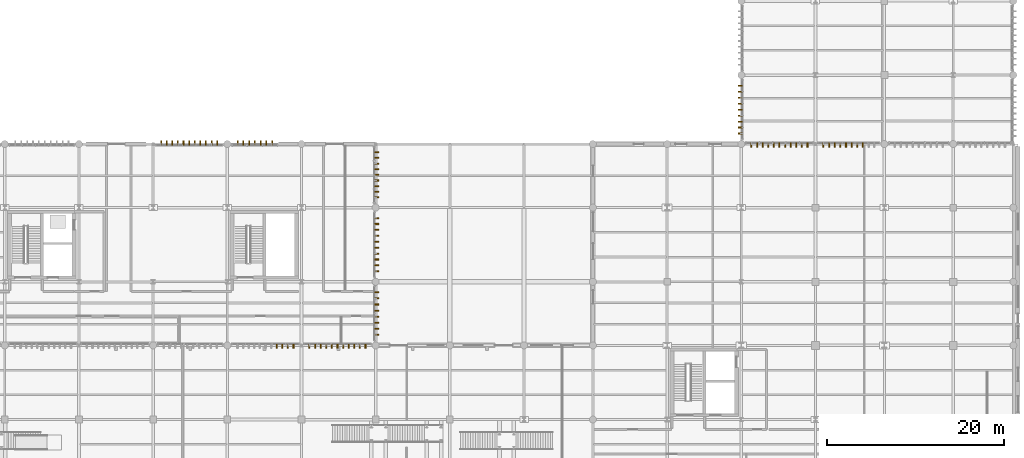
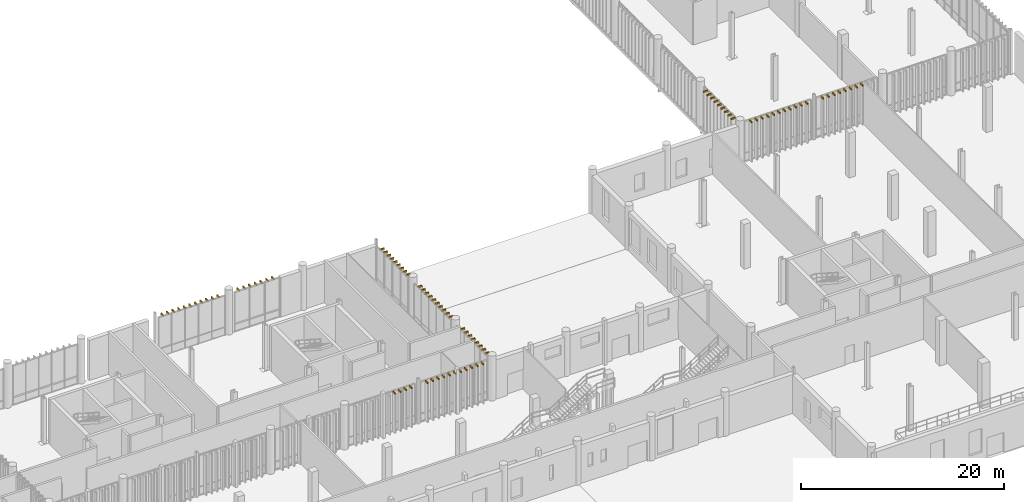
# One storey, part 110 of 112: 88 shading devices.
"""IFC4 building model written with IfcOpenShell, lengths in metres."""

from ifc_helpers import new_model, si_unit, direction, frame, origin_with_axes, origin_2d_with_axis, place, context, subcontext, project, spatial, rectangle, extrude, material, type_object, element, save


model = new_model("IFC4")

# Units and contexts
model_context = context("Model", 3, precision=1e-05, world=origin_with_axes(), true_north=direction((0.0, 1.0)))
body_context = subcontext(model_context, "Body", "Model", "MODEL_VIEW")
ifc_project = project(units=[si_unit("LENGTHUNIT", "METRE"), si_unit("AREAUNIT", "SQUARE_METRE"), si_unit("VOLUMEUNIT", "CUBIC_METRE"), si_unit("PLANEANGLEUNIT", "RADIAN"), si_unit("MASSUNIT", "GRAM", prefix="KILO"), si_unit("THERMODYNAMICTEMPERATUREUNIT", "KELVIN")], contexts=[model_context])

# Site, building, storey
site_placement = place(None, origin_with_axes())
site = spatial("IfcSite", under=ifc_project, at=site_placement, CompositionType="ELEMENT")
building_placement = place(site_placement, origin_with_axes())
building = spatial("IfcBuilding", under=site, at=building_placement, Name="Montbau Bow Law Courts", CompositionType="ELEMENT")
storey_placement = place(building_placement, origin_with_axes())
storey = spatial("IfcBuildingStorey", under=building, at=storey_placement, Name="L00", CompositionType="ELEMENT", Elevation=0.0)

# Shading devices
ifc_material_1 = material(Name="Freeze-Thaw Glazed Cream Ceramic Vertical Louvre", Category="masonry")
shading_device_type_1 = type_object("IfcShadingDeviceType", Name="SH-LVR-CRM", PredefinedType="USERDEFINED", material=ifc_material_1)
for number, where, z_axis, x_axis, name in (
    (1, (85.993, 38.89, 4.64), (0.0, 0.0, 1.0), (0.0, -1.0, 0.0), "LVR-L00-1133:shd_1133"),
    (2, (86.628, 38.89, 4.64), (0.0, 0.0, 1.0), (0.0, -1.0, 0.0), "LVR-L00-1134:shd_1134"),
    (3, (87.262, 38.89, 4.64), (0.0, 0.0, 1.0), (0.0, -1.0, 0.0), "LVR-L00-1135:shd_1135"),
    (4, (87.897, 38.89, 4.64), (0.0, 0.0, 1.0), (0.0, -1.0, 0.0), "LVR-L00-1136:shd_1136"),
    (5, (89.702, 38.89, 4.64), (0.0, 0.0, 1.0), (0.0, -1.0, 0.0), "LVR-L00-1137:shd_1137"),
    (6, (90.337, 38.89, 4.64), (0.0, 0.0, 1.0), (0.0, -1.0, 0.0), "LVR-L00-1138:shd_1138"),
    (7, (90.972, 38.89, 4.64), (0.0, 0.0, 1.0), (0.0, -1.0, 0.0), "LVR-L00-1139:shd_1139"),
    (8, (91.606, 38.89, 4.64), (0.0, 0.0, 1.0), (0.0, -1.0, 0.0), "LVR-L00-1140:shd_1140"),
    (9, (92.241, 38.89, 4.64), (0.0, 0.0, 1.0), (0.0, -1.0, 0.0), "LVR-L00-1141:shd_1141"),
    (10, (92.876, 38.89, 4.64), (0.0, 0.0, 1.0), (0.0, -1.0, 0.0), "LVR-L00-1142:shd_1142"),
    (11, (93.511, 38.89, 4.64), (0.0, 0.0, 1.0), (0.0, -1.0, 0.0), "LVR-L00-1143:shd_1143"),
    (12, (94.146, 38.89, 4.64), (0.0, 0.0, 1.0), (0.0, -1.0, 0.0), "LVR-L00-1144:shd_1144"),
    (13, (94.781, 38.89, 4.64), (0.0, 0.0, 1.0), (0.0, -1.0, 0.0), "LVR-L00-1145:shd_1145"),
    (14, (95.415, 38.89, 4.64), (0.0, 0.0, 1.0), (0.0, -1.0, 0.0), "LVR-L00-1146:shd_1146"),
    (15, (96.05, 38.89, 4.64), (0.0, 0.0, 1.0), (0.0, -1.0, 0.0), "LVR-L00-1147:shd_1147"),
    (16, (72.902, 61.91, 4.64), (0.0, 0.0, 1.0), (0.0, 1.0, 0.0), "LVR-L00-1169:shd_1169"),
    (17, (73.537, 61.91, 4.64), (0.0, 0.0, 1.0), (0.0, 1.0, 0.0), "LVR-L00-1170:shd_1170"),
    (18, (74.172, 61.91, 4.64), (0.0, 0.0, 1.0), (0.0, 1.0, 0.0), "LVR-L00-1171:shd_1171"),
    (19, (74.806, 61.91, 4.64), (0.0, 0.0, 1.0), (0.0, 1.0, 0.0), "LVR-L00-1172:shd_1172"),
    (20, (75.441, 61.91, 4.64), (0.0, 0.0, 1.0), (0.0, 1.0, 0.0), "LVR-L00-1173:shd_1173"),
    (21, (76.076, 61.91, 4.64), (0.0, 0.0, 1.0), (0.0, 1.0, 0.0), "LVR-L00-1174:shd_1174"),
    (22, (76.711, 61.91, 4.64), (0.0, 0.0, 1.0), (0.0, 1.0, 0.0), "LVR-L00-1175:shd_1175"),
    (23, (77.346, 61.91, 4.64), (0.0, 0.0, 1.0), (0.0, 1.0, 0.0), "LVR-L00-1176:shd_1176"),
    (24, (77.981, 61.91, 4.64), (0.0, 0.0, 1.0), (0.0, 1.0, 0.0), "LVR-L00-1177:shd_1177"),
    (25, (78.615, 61.91, 4.64), (0.0, 0.0, 1.0), (0.0, 1.0, 0.0), "LVR-L00-1178:shd_1178"),
    (26, (79.25, 61.91, 4.64), (0.0, 0.0, 1.0), (0.0, 1.0, 0.0), "LVR-L00-1179:shd_1179"),
    (27, (81.566, 61.91, 4.64), (0.0, 0.0, 1.0), (0.0, 1.0, 0.0), "LVR-L00-1180:shd_1180"),
    (28, (82.216, 61.91, 4.64), (0.0, 0.0, 1.0), (0.0, 1.0, 0.0), "LVR-L00-1181:shd_1181"),
    (29, (82.867, 61.91, 4.64), (0.0, 0.0, 1.0), (0.0, 1.0, 0.0), "LVR-L00-1182:shd_1182"),
    (30, (83.517, 61.91, 4.64), (0.0, 0.0, 1.0), (0.0, 1.0, 0.0), "LVR-L00-1183:shd_1183"),
    (31, (84.168, 61.91, 4.64), (0.0, 0.0, 1.0), (0.0, 1.0, 0.0), "LVR-L00-1184:shd_1184"),
    (32, (84.819, 61.91, 4.64), (0.0, 0.0, 1.0), (0.0, 1.0, 0.0), "LVR-L00-1185:shd_1185"),
    (33, (85.469, 61.91, 4.64), (0.0, 0.0, 1.0), (0.0, 1.0, 0.0), "LVR-L00-1186:shd_1186"),
    (34, (97.31, 40.201, 4.64), (0.0, 0.0, 1.0), (1.0, 0.0, 0.0), "LVR-L00-1214:shd_1214"),
    (35, (97.31, 40.886, 4.64), (0.0, 0.0, 1.0), (1.0, 0.0, 0.0), "LVR-L00-1215:shd_1215"),
    (36, (97.31, 41.572, 4.64), (0.0, 0.0, 1.0), (1.0, 0.0, 0.0), "LVR-L00-1216:shd_1216"),
    (37, (97.31, 42.257, 4.64), (0.0, 0.0, 1.0), (1.0, 0.0, 0.0), "LVR-L00-1217:shd_1217"),
    (38, (97.31, 42.943, 4.64), (0.0, 0.0, 1.0), (1.0, 0.0, 0.0), "LVR-L00-1218:shd_1218"),
    (39, (97.31, 43.628, 4.64), (0.0, 0.0, 1.0), (1.0, 0.0, 0.0), "LVR-L00-1219:shd_1219"),
    (40, (97.31, 44.314, 4.64), (0.0, 0.0, 1.0), (1.0, 0.0, 0.0), "LVR-L00-1220:shd_1220"),
    (41, (97.31, 44.999, 4.64), (0.0, 0.0, 1.0), (1.0, 0.0, 0.0), "LVR-L00-1221:shd_1221"),
    (42, (97.31, 47.385, 4.64), (0.0, 0.0, 1.0), (1.0, 0.0, 0.0), "LVR-L00-1222:shd_1222"),
    (43, (97.31, 48.055, 4.64), (0.0, 0.0, 1.0), (1.0, 0.0, 0.0), "LVR-L00-1223:shd_1223"),
    (44, (97.31, 48.725, 4.64), (0.0, 0.0, 1.0), (1.0, 0.0, 0.0), "LVR-L00-1224:shd_1224"),
    (45, (97.31, 49.395, 4.64), (0.0, 0.0, 1.0), (1.0, 0.0, 0.0), "LVR-L00-1225:shd_1225"),
    (46, (97.31, 50.065, 4.64), (0.0, 0.0, 1.0), (1.0, 0.0, 0.0), "LVR-L00-1226:shd_1226"),
    (47, (97.31, 50.735, 4.64), (0.0, 0.0, 1.0), (1.0, 0.0, 0.0), "LVR-L00-1227:shd_1227"),
    (48, (97.31, 51.405, 4.64), (0.0, 0.0, 1.0), (1.0, 0.0, 0.0), "LVR-L00-1228:shd_1228"),
    (49, (97.31, 52.075, 4.64), (0.0, 0.0, 1.0), (1.0, 0.0, 0.0), "LVR-L00-1229:shd_1229"),
    (50, (97.31, 52.745, 4.64), (0.0, 0.0, 1.0), (1.0, 0.0, 0.0), "LVR-L00-1230:shd_1230"),
    (51, (97.31, 53.415, 4.64), (0.0, 0.0, 1.0), (1.0, 0.0, 0.0), "LVR-L00-1231:shd_1231"),
    (52, (97.31, 55.753, 4.64), (0.0, 0.0, 1.0), (1.0, 0.0, 0.0), "LVR-L00-1232:shd_1232"),
    (53, (97.31, 56.392, 4.64), (0.0, 0.0, 1.0), (1.0, 0.0, 0.0), "LVR-L00-1233:shd_1233"),
    (54, (97.31, 57.03, 4.64), (0.0, 0.0, 1.0), (1.0, 0.0, 0.0), "LVR-L00-1234:shd_1234"),
    (55, (97.31, 57.669, 4.64), (0.0, 0.0, 1.0), (1.0, 0.0, 0.0), "LVR-L00-1235:shd_1235"),
    (56, (97.31, 58.307, 4.64), (0.0, 0.0, 1.0), (1.0, 0.0, 0.0), "LVR-L00-1236:shd_1236"),
    (57, (97.31, 58.945, 4.64), (0.0, 0.0, 1.0), (1.0, 0.0, 0.0), "LVR-L00-1237:shd_1237"),
    (58, (97.31, 59.584, 4.64), (0.0, 0.0, 1.0), (1.0, 0.0, 0.0), "LVR-L00-1238:shd_1238"),
    (59, (97.31, 60.222, 4.64), (0.0, 0.0, 1.0), (1.0, 0.0, 0.0), "LVR-L00-1239:shd_1239"),
    (60, (97.31, 60.861, 4.64), (0.0, 0.0, 1.0), (1.0, 0.0, 0.0), "LVR-L00-1240:shd_1240"),
):
    element("IfcShadingDevice", number, at=place(None, frame(where, z_axis=z_axis, x_axis=x_axis)), inside=storey, type_object=shading_device_type_1, Name=name, ObjectType="LOUVRE", PredefinedType="USERDEFINED", context=body_context, shape_type="SweptSolid", body=[
        extrude(rectangle(XDim=0.48, YDim=0.12, at=origin_2d_with_axis()), origin_with_axes(), (0.0, 0.0, 1.0), 0.18),
    ])
ifc_material_2 = material(Name="Freeze-Thaw Glazed Slate-Grey Ceramic Vertical Louvre", Category="masonry")
shading_device_type_2 = type_object("IfcShadingDeviceType", Name="SH-LVR-SLT", PredefinedType="USERDEFINED", material=ifc_material_2)
for number, where, z_axis, x_axis, name in (
    (61, (139.75, 61.69, 4.64), (0.0, 0.0, 1.0), (0.0, -1.0, 0.0), "LVR-L00-2279:shd_2279"),
    (62, (140.384, 61.69, 4.64), (0.0, 0.0, 1.0), (0.0, -1.0, 0.0), "LVR-L00-2280:shd_2280"),
    (63, (141.019, 61.69, 4.64), (0.0, 0.0, 1.0), (0.0, -1.0, 0.0), "LVR-L00-2281:shd_2281"),
    (64, (141.654, 61.69, 4.64), (0.0, 0.0, 1.0), (0.0, -1.0, 0.0), "LVR-L00-2282:shd_2282"),
    (65, (142.289, 61.69, 4.64), (0.0, 0.0, 1.0), (0.0, -1.0, 0.0), "LVR-L00-2283:shd_2283"),
    (66, (142.923, 61.69, 4.64), (0.0, 0.0, 1.0), (0.0, -1.0, 0.0), "LVR-L00-2284:shd_2284"),
    (67, (143.558, 61.69, 4.64), (0.0, 0.0, 1.0), (0.0, -1.0, 0.0), "LVR-L00-2285:shd_2285"),
    (68, (144.193, 61.69, 4.64), (0.0, 0.0, 1.0), (0.0, -1.0, 0.0), "LVR-L00-2286:shd_2286"),
    (69, (144.828, 61.69, 4.64), (0.0, 0.0, 1.0), (0.0, -1.0, 0.0), "LVR-L00-2287:shd_2287"),
    (70, (145.462, 61.69, 4.64), (0.0, 0.0, 1.0), (0.0, -1.0, 0.0), "LVR-L00-2288:shd_2288"),
    (71, (146.097, 61.69, 4.64), (0.0, 0.0, 1.0), (0.0, -1.0, 0.0), "LVR-L00-2289:shd_2289"),
    (72, (147.906, 61.69, 4.64), (0.0, 0.0, 1.0), (0.0, -1.0, 0.0), "LVR-L00-2290:shd_2290"),
    (73, (148.544, 61.69, 4.64), (0.0, 0.0, 1.0), (0.0, -1.0, 0.0), "LVR-L00-2291:shd_2291"),
    (74, (149.182, 61.69, 4.64), (0.0, 0.0, 1.0), (0.0, -1.0, 0.0), "LVR-L00-2292:shd_2292"),
    (75, (149.82, 61.69, 4.64), (0.0, 0.0, 1.0), (0.0, -1.0, 0.0), "LVR-L00-2293:shd_2293"),
    (76, (150.458, 61.69, 4.64), (0.0, 0.0, 1.0), (0.0, -1.0, 0.0), "LVR-L00-2294:shd_2294"),
    (77, (151.095, 61.69, 4.64), (0.0, 0.0, 1.0), (0.0, -1.0, 0.0), "LVR-L00-2295:shd_2295"),
    (78, (151.733, 61.69, 4.64), (0.0, 0.0, 1.0), (0.0, -1.0, 0.0), "LVR-L00-2296:shd_2296"),
    (79, (152.371, 61.69, 4.64), (0.0, 0.0, 1.0), (0.0, -1.0, 0.0), "LVR-L00-2297:shd_2297"),
    (80, (138.49, 62.992, 4.64), (0.0, 0.0, 1.0), (-1.0, 0.0, 0.0), "LVR-L00-2353:shd_2353"),
    (81, (138.49, 63.669, 4.64), (0.0, 0.0, 1.0), (-1.0, 0.0, 0.0), "LVR-L00-2354:shd_2354"),
    (82, (138.49, 64.346, 4.64), (0.0, 0.0, 1.0), (-1.0, 0.0, 0.0), "LVR-L00-2355:shd_2355"),
    (83, (138.49, 65.023, 4.64), (0.0, 0.0, 1.0), (-1.0, 0.0, 0.0), "LVR-L00-2356:shd_2356"),
    (84, (138.49, 65.7, 4.64), (0.0, 0.0, 1.0), (-1.0, 0.0, 0.0), "LVR-L00-2357:shd_2357"),
    (85, (138.49, 66.377, 4.64), (0.0, 0.0, 1.0), (-1.0, 0.0, 0.0), "LVR-L00-2358:shd_2358"),
    (86, (138.49, 67.054, 4.64), (0.0, 0.0, 1.0), (-1.0, 0.0, 0.0), "LVR-L00-2359:shd_2359"),
    (87, (138.49, 67.731, 4.64), (0.0, 0.0, 1.0), (-1.0, 0.0, 0.0), "LVR-L00-2360:shd_2360"),
    (88, (138.49, 68.408, 4.64), (0.0, 0.0, 1.0), (-1.0, 0.0, 0.0), "LVR-L00-2361:shd_2361"),
):
    element("IfcShadingDevice", number, at=place(None, frame(where, z_axis=z_axis, x_axis=x_axis)), inside=storey, type_object=shading_device_type_2, Name=name, ObjectType="LOUVRE", PredefinedType="USERDEFINED", context=body_context, shape_type="SweptSolid", body=[
        extrude(rectangle(XDim=0.48, YDim=0.12, at=origin_2d_with_axis()), origin_with_axes(), (0.0, 0.0, 1.0), 0.18),
    ])

save(model, "model.ifc")
